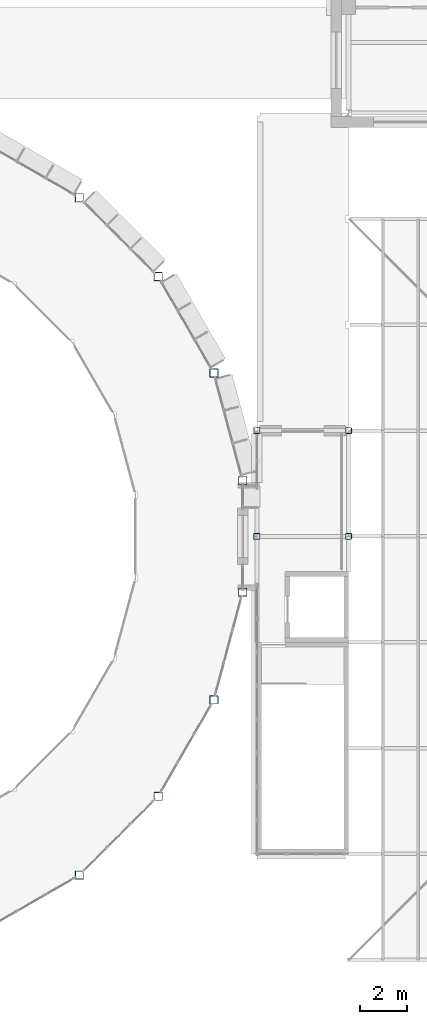
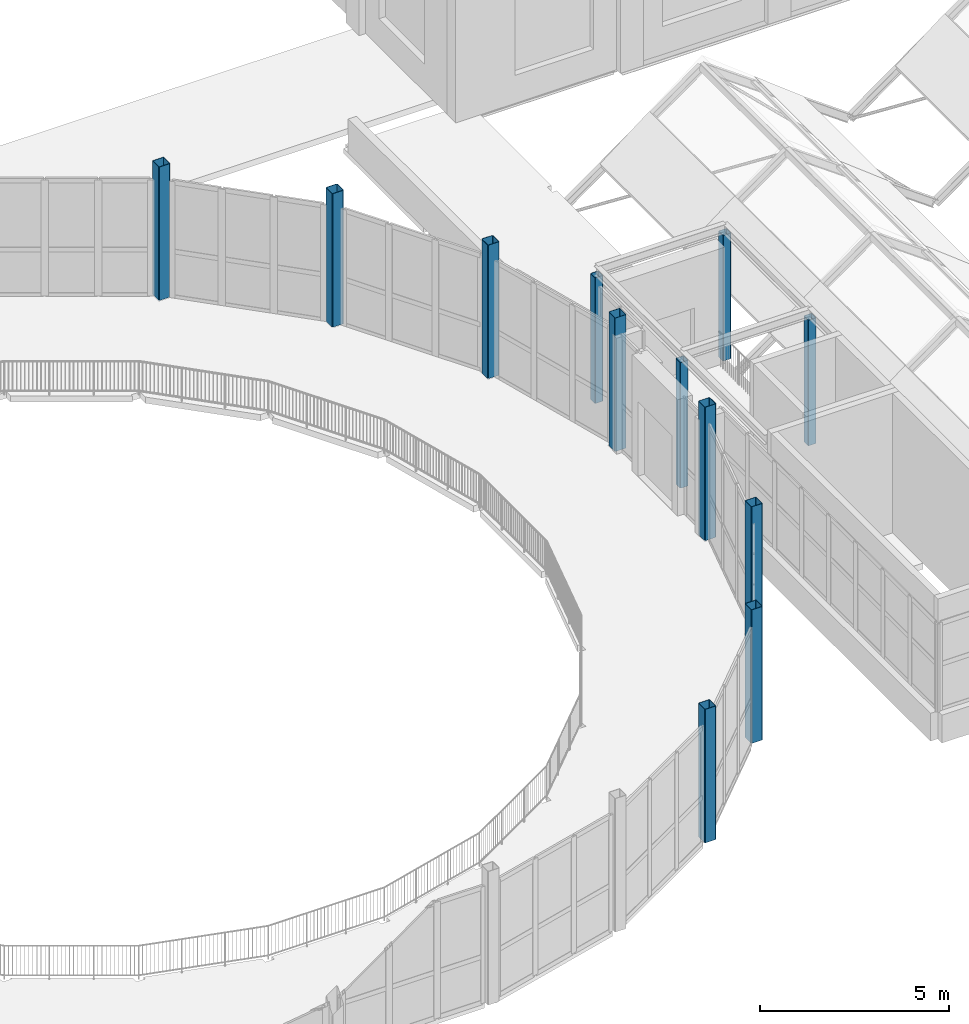
# One storey, part 6 of 74: 12 columns.
"""IFC4 building model written with IfcOpenShell, lengths in metres."""

from ifc_helpers import new_model, si_unit, direction, frame, origin, origin_2d, place, context, subcontext, project, spatial, hollow_rectangle, extrude, material, material_profile, profile_set, type_object, element, save


model = new_model("IFC4")

# Units and contexts
model_context = context("Model", 3, precision=1e-05, world=origin(), true_north=direction((0.0, 1.0)))
body_context = subcontext(model_context, "Body", "Model", "MODEL_VIEW")
ifc_project = project(units=[si_unit("LENGTHUNIT", "METRE"), si_unit("AREAUNIT", "SQUARE_METRE"), si_unit("VOLUMEUNIT", "CUBIC_METRE"), si_unit("PLANEANGLEUNIT", "RADIAN"), si_unit("MASSUNIT", "GRAM", prefix="KILO")], contexts=[model_context])

# Site, building, storey
site_placement = place(None, origin())
site = spatial("IfcSite", under=ifc_project, at=site_placement, CompositionType="ELEMENT")
building_placement = place(site_placement, origin())
building = spatial("IfcBuilding", under=site, at=building_placement, Name="Hortulan Conservatory and Botanical Research Centre", CompositionType="ELEMENT")
storey_placement = place(building_placement, frame((0.0, 0.0, 6.0)))
storey = spatial("IfcBuildingStorey", under=building, at=storey_placement, Name="L01", CompositionType="ELEMENT", Elevation=6.0)

# Columns
ifc_material = material(Name="Steel Grade C450L0 (450 MPa, AS/NZS 1163)", Category="steel")
ifc_material_profile_1 = material_profile(ifc_material, hollow_rectangle(XDim=0.35009765625, YDim=0.35009765625, WallThickness=0.012451171875, InnerFilletRadius=0.018798828125, OuterFilletRadius=0.03125, at=origin_2d()), Name="350x350x12.5SHS")
ifc_profile_set_1 = profile_set([ifc_material_profile_1], Name="Steel Grade C450L0 (450 MPa, AS/NZS 1163)")
column_type_1 = type_object("IfcColumnType", Name="Dome Drum Column 350x350x12.5 SHS", PredefinedType="COLUMN", material=ifc_profile_set_1)
for number, where, z_axis, x_axis, name in (
    (1, (72.0, 20.36962890625, 0.0), (0.0, 0.0, 1.0), (1.0, 0.0, 0.0), "Dome drum column 01 L01"),
    (2, (70.773193359375, 24.94775390625, 0.0), (0.0, 0.0, 1.0), (1.0, 0.0, 0.0), "Dome drum column 02 L01"),
    (3, (68.403564453125, 29.05224609375, 0.0), (0.0, 0.0, 1.0), (1.0, 0.0, 0.0), "Dome drum column 03 L01"),
    (4, (65.05224609375, 32.403564453125, 0.0), (0.0, 0.0, 1.0), (1.0, 0.0, 0.0), "Dome drum column 04 L01"),
    (5, (65.05224609375, 3.596435546875, 0.0), (0.0, 0.0, 1.0), (1.0, 0.0, 0.0), "Dome drum column 21 L01"),
    (6, (68.403564453125, 6.94775390625, 0.0), (0.0, 0.0, 1.0), (1.0, 0.0, 0.0), "Dome drum column 22 L01"),
    (7, (70.773193359375, 11.05224609375, 0.0), (0.0, 0.0, 1.0), (1.0, 0.0, 0.0), "Dome drum column 23 L01"),
    (8, (72.0, 15.63037109375, 0.0), (0.0, 0.0, 1.0), (1.0, 0.0, 0.0), "Dome drum column 24 L01"),
):
    element("IfcColumn", number, at=place(storey_placement, frame(where, z_axis=z_axis, x_axis=x_axis)), inside=storey, type_object=column_type_1, Name=name, PredefinedType="COLUMN", context=body_context, shape_type="SweptSolid", body=[
        extrude(hollow_rectangle(XDim=0.35009765625, YDim=0.35009765625, WallThickness=0.012451171875, InnerFilletRadius=0.018798828125, OuterFilletRadius=0.03125, at=origin_2d()), origin(), (0.0, 0.0, 1.0), 4.300048828125),
    ])
ifc_material_profile_2 = material_profile(ifc_material, hollow_rectangle(XDim=0.25, YDim=0.25, WallThickness=0.009033203125, InnerFilletRadius=0.013427734375, OuterFilletRadius=0.0224609375, at=origin_2d()), Name="250x250x9SHS")
ifc_profile_set_2 = profile_set([ifc_material_profile_2], Name="Steel Grade C450L0 (450 MPa, AS/NZS 1163)")
column_type_2 = type_object("IfcColumnType", Name="Head Link Column 250x250x9 SHS", PredefinedType="COLUMN", material=ifc_profile_set_2)
for number, where, z_axis, x_axis, name in (
    (9, (72.60009765625, 18.0, 0.0), (0.0, 0.0, 1.0), (1.0, 0.0, 0.0), "Head link column C-72.6-18.0 L01"),
    (10, (76.5, 18.0, 0.0), (0.0, 0.0, 1.0), (1.0, 0.0, 0.0), "Head link column C-76.5-18.0 L01"),
    (11, (72.60009765625, 22.5, 0.0), (0.0, 0.0, 1.0), (1.0, 0.0, 0.0), "Head link column C-72.6-22.5 L01"),
    (12, (76.5, 22.5, 0.0), (0.0, 0.0, 1.0), (1.0, 0.0, 0.0), "Head link column C-76.5-22.5 L01"),
):
    element("IfcColumn", number, at=place(storey_placement, frame(where, z_axis=z_axis, x_axis=x_axis)), inside=storey, type_object=column_type_2, Name=name, PredefinedType="COLUMN", context=body_context, shape_type="SweptSolid", body=[
        extrude(hollow_rectangle(XDim=0.25, YDim=0.25, WallThickness=0.009033203125, InnerFilletRadius=0.013427734375, OuterFilletRadius=0.0224609375, at=origin_2d()), origin(), (0.0, 0.0, 1.0), 4.0458984375),
    ])

save(model, "model.ifc")
